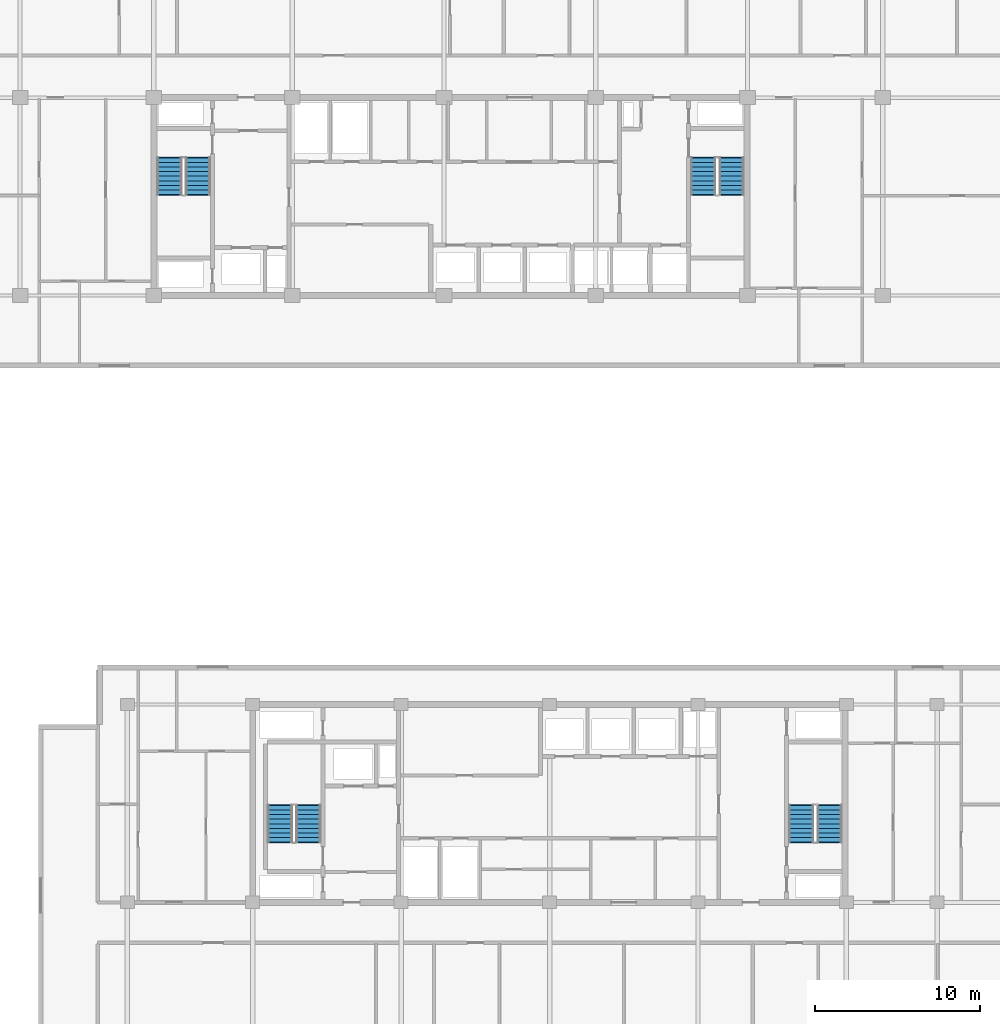
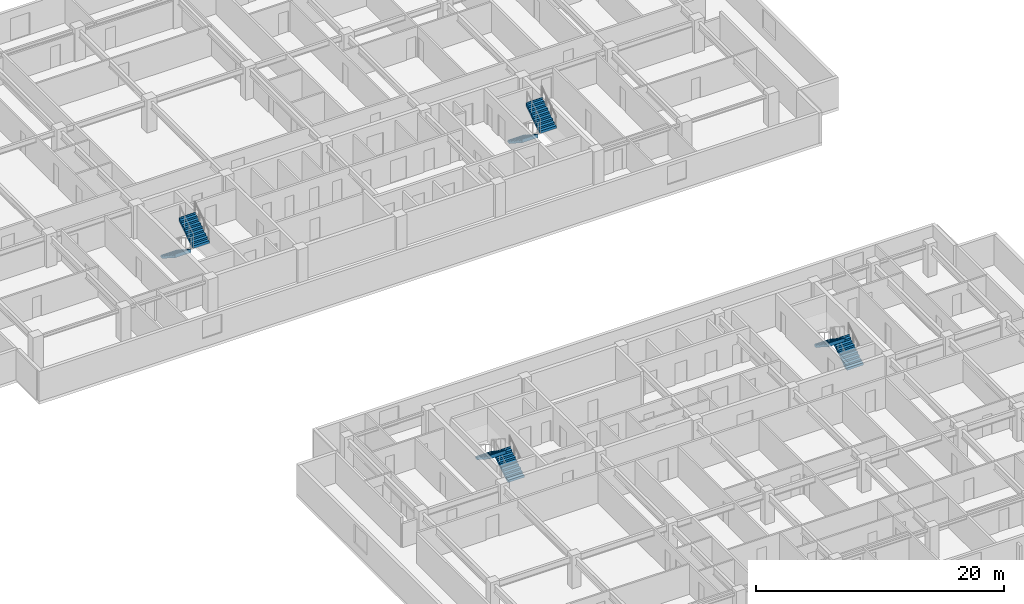
# One storey, part 16 of 21: 8 stair flights, 4 elements without a shape of their own.
"""IFC4 building model written with IfcOpenShell, lengths in metres."""

from ifc_helpers import new_model, si_unit, direction, frame, origin, place, context, subcontext, project, spatial, polyline, outline, extrude, material, type_object, element, aggregate, save


model = new_model("IFC4")

# Units and contexts
model_context = context("Model", 3, precision=1e-05, world=origin(), true_north=direction((0.0, 1.0)))
body_context = subcontext(model_context, "Body", "Model", "MODEL_VIEW")
ifc_project = project(units=[si_unit("LENGTHUNIT", "METRE"), si_unit("AREAUNIT", "SQUARE_METRE"), si_unit("VOLUMEUNIT", "CUBIC_METRE"), si_unit("PLANEANGLEUNIT", "RADIAN"), si_unit("MASSUNIT", "GRAM", prefix="KILO")], contexts=[model_context])

# Site, building, storey
site_placement = place(None, origin())
site = spatial("IfcSite", under=ifc_project, at=site_placement, CompositionType="ELEMENT")
building_placement = place(site_placement, origin())
building = spatial("IfcBuilding", under=site, at=building_placement, Name="Korimba Cascade Residences", CompositionType="ELEMENT")
storey_placement = place(building_placement, frame((0.0, 0.0, 119.800048828125)))
storey = spatial("IfcBuildingStorey", under=building, at=storey_placement, Name="L34", CompositionType="ELEMENT", Elevation=119.800048828125)

# Stair, stair flights
ifc_material = material(Name="Concrete C50/60", Category="concrete")
stair_type_1 = type_object("IfcStairType", Name="STR-W1-18R-1806", PredefinedType="HALF_TURN_STAIR", material=ifc_material)
stair_1_placement = place(storey_placement, origin())
stair_1 = element("IfcStair", 1, at=stair_1_placement, inside=storey, type_object=stair_type_1, Name="L34 Tower 1 West Fire Stair ST-W1", PredefinedType="HALF_TURN_STAIR")
stair_flight_type = type_object("IfcStairFlightType", Name="STF-DL-18R-1806-1520", PredefinedType="STRAIGHT", material=ifc_material)
stair_flight_1_placement = place(storey_placement, frame((77.06005859375, 63.550048828125, 0.0), z_axis=(0.0, 0.0, 1.0), x_axis=(0.0, -1.0, 0.0)))
stair_flight_1 = element("IfcStairFlight", 2, at=stair_flight_1_placement, type_object=stair_flight_type, Name="ST-W1 flight 1", NumberOfRisers=9, NumberOfTreads=8, PredefinedType="STRAIGHT", RiserHeight=0.180555556, TreadLength=0.28, context=body_context, shape_type="SweptSolid", body=[
    extrude(outline(polyline([(-0.0380859375, 0.0), (0.0, 0.1806640625), (0.280029296875, 0.1806640625), (0.280029296875, 0.361083984375), (0.56005859375, 0.361083984375), (0.56005859375, 0.541748046875), (0.840087890625, 0.541748046875), (0.840087890625, 0.72216796875), (1.1201171875, 0.72216796875), (1.1201171875, 0.90283203125), (1.39990234375, 0.90283203125), (1.39990234375, 1.083251953125), (1.679931640625, 1.083251953125), (1.679931640625, 1.263916015625), (1.9599609375, 1.263916015625), (1.9599609375, 1.4443359375), (2.239990234375, 1.4443359375), (2.239990234375, 1.625), (2.278076171875, 1.625), (2.278076171875, 1.26611328125), (0.276611328125, 0.0), (0.276611328125, -0.0380859375), (-0.0380859375, -0.0380859375), (-0.0380859375, 0.0)])), frame((0.0, 0.760009765625, 0.0), z_axis=(0.0, -1.0, 0.0), x_axis=(1.0, 0.0, 0.0)), (0.0, 0.0, 1.0), 1.52001953125),
])
stair_flight_2_placement = place(storey_placement, frame((78.780029296875, 61.31005859375, 1.625), z_axis=(0.0, 0.0, 1.0), x_axis=(0.0, 1.0, 0.0)))
stair_flight_2 = element("IfcStairFlight", 3, at=stair_flight_2_placement, type_object=stair_flight_type, Name="ST-W1 flight 2", NumberOfRisers=9, NumberOfTreads=8, PredefinedType="STRAIGHT", RiserHeight=0.180555556, TreadLength=0.28, context=body_context, shape_type="SweptSolid", body=[
    extrude(outline(polyline([(-0.0380859375, 0.0), (0.0, 0.1806640625), (0.280029296875, 0.1806640625), (0.280029296875, 0.361083984375), (0.56005859375, 0.361083984375), (0.56005859375, 0.541748046875), (0.840087890625, 0.541748046875), (0.840087890625, 0.72216796875), (1.1201171875, 0.72216796875), (1.1201171875, 0.90283203125), (1.39990234375, 0.90283203125), (1.39990234375, 1.083251953125), (1.679931640625, 1.083251953125), (1.679931640625, 1.263916015625), (1.9599609375, 1.263916015625), (1.9599609375, 1.4443359375), (2.239990234375, 1.4443359375), (2.239990234375, 1.625), (2.278076171875, 1.625), (2.278076171875, 1.26611328125), (0.276611328125, 0.0), (0.276611328125, -0.0380859375), (-0.0380859375, -0.0380859375), (-0.0380859375, 0.0)])), frame((0.0, 0.760009765625, 0.0), z_axis=(0.0, -1.0, 0.0), x_axis=(1.0, 0.0, 0.0)), (0.0, 0.0, 1.0), 1.52001953125),
])
aggregate(stair_1, [stair_flight_1, stair_flight_2])

stair_type_2 = type_object("IfcStairType", Name="STR-W2-18R-1806", PredefinedType="HALF_TURN_STAIR", material=ifc_material)
stair_2_placement = place(storey_placement, origin())
stair_2 = element("IfcStair", 4, at=stair_2_placement, inside=storey, type_object=stair_type_2, Name="L34 Tower 1 East Fire Stair ST-W2", PredefinedType="HALF_TURN_STAIR")
stair_flight_3_placement = place(storey_placement, frame((109.419921875, 63.550048828125, 0.0), z_axis=(0.0, 0.0, 1.0), x_axis=(0.0, -1.0, 0.0)))
stair_flight_3 = element("IfcStairFlight", 5, at=stair_flight_3_placement, type_object=stair_flight_type, Name="ST-W2 flight 1", NumberOfRisers=9, NumberOfTreads=8, PredefinedType="STRAIGHT", RiserHeight=0.180555556, TreadLength=0.28, context=body_context, shape_type="SweptSolid", body=[
    extrude(outline(polyline([(-0.0380859375, 0.0), (0.0, 0.1806640625), (0.280029296875, 0.1806640625), (0.280029296875, 0.361083984375), (0.56005859375, 0.361083984375), (0.56005859375, 0.541748046875), (0.840087890625, 0.541748046875), (0.840087890625, 0.72216796875), (1.1201171875, 0.72216796875), (1.1201171875, 0.90283203125), (1.39990234375, 0.90283203125), (1.39990234375, 1.083251953125), (1.679931640625, 1.083251953125), (1.679931640625, 1.263916015625), (1.9599609375, 1.263916015625), (1.9599609375, 1.4443359375), (2.239990234375, 1.4443359375), (2.239990234375, 1.625), (2.278076171875, 1.625), (2.278076171875, 1.26611328125), (0.276611328125, 0.0), (0.276611328125, -0.0380859375), (-0.0380859375, -0.0380859375), (-0.0380859375, 0.0)])), frame((0.0, 0.760009765625, 0.0), z_axis=(0.0, -1.0, 0.0), x_axis=(1.0, 0.0, 0.0)), (0.0, 0.0, 1.0), 1.52001953125),
])
stair_flight_4_placement = place(storey_placement, frame((111.139892578125, 61.31005859375, 1.625), z_axis=(0.0, 0.0, 1.0), x_axis=(0.0, 1.0, 0.0)))
stair_flight_4 = element("IfcStairFlight", 6, at=stair_flight_4_placement, type_object=stair_flight_type, Name="ST-W2 flight 2", NumberOfRisers=9, NumberOfTreads=8, PredefinedType="STRAIGHT", RiserHeight=0.180555556, TreadLength=0.28, context=body_context, shape_type="SweptSolid", body=[
    extrude(outline(polyline([(-0.0380859375, 0.0), (0.0, 0.1806640625), (0.280029296875, 0.1806640625), (0.280029296875, 0.361083984375), (0.56005859375, 0.361083984375), (0.56005859375, 0.541748046875), (0.840087890625, 0.541748046875), (0.840087890625, 0.72216796875), (1.1201171875, 0.72216796875), (1.1201171875, 0.90283203125), (1.39990234375, 0.90283203125), (1.39990234375, 1.083251953125), (1.679931640625, 1.083251953125), (1.679931640625, 1.263916015625), (1.9599609375, 1.263916015625), (1.9599609375, 1.4443359375), (2.239990234375, 1.4443359375), (2.239990234375, 1.625), (2.278076171875, 1.625), (2.278076171875, 1.26611328125), (0.276611328125, 0.0), (0.276611328125, -0.0380859375), (-0.0380859375, -0.0380859375), (-0.0380859375, 0.0)])), frame((0.0, 0.760009765625, 0.0), z_axis=(0.0, -1.0, 0.0), x_axis=(1.0, 0.0, 0.0)), (0.0, 0.0, 1.0), 1.52001953125),
])
aggregate(stair_2, [stair_flight_3, stair_flight_4])

stair_type_3 = type_object("IfcStairType", Name="STR-E1-18R-1806", PredefinedType="HALF_TURN_STAIR", material=ifc_material)
stair_3_placement = place(storey_placement, origin())
stair_3 = element("IfcStair", 7, at=stair_3_placement, inside=storey, type_object=stair_type_3, Name="L34 Tower 2 West Fire Stair ST-E1", PredefinedType="HALF_TURN_STAIR")
stair_flight_5_placement = place(storey_placement, frame((85.47998046875, 22.050048828125, 0.0), z_axis=(0.0, 0.0, 1.0), x_axis=(0.0, 1.0, 0.0)))
stair_flight_5 = element("IfcStairFlight", 8, at=stair_flight_5_placement, type_object=stair_flight_type, Name="ST-E1 flight 1", NumberOfRisers=9, NumberOfTreads=8, PredefinedType="STRAIGHT", RiserHeight=0.180555556, TreadLength=0.28, context=body_context, shape_type="SweptSolid", body=[
    extrude(outline(polyline([(-0.0380859375, 0.0), (0.0, 0.1806640625), (0.280029296875, 0.1806640625), (0.280029296875, 0.361083984375), (0.56005859375, 0.361083984375), (0.56005859375, 0.541748046875), (0.840087890625, 0.541748046875), (0.840087890625, 0.72216796875), (1.1201171875, 0.72216796875), (1.1201171875, 0.90283203125), (1.39990234375, 0.90283203125), (1.39990234375, 1.083251953125), (1.679931640625, 1.083251953125), (1.679931640625, 1.263916015625), (1.9599609375, 1.263916015625), (1.9599609375, 1.4443359375), (2.239990234375, 1.4443359375), (2.239990234375, 1.625), (2.278076171875, 1.625), (2.278076171875, 1.26611328125), (0.276611328125, 0.0), (0.276611328125, -0.0380859375), (-0.0380859375, -0.0380859375), (-0.0380859375, 0.0)])), frame((0.0, 0.760009765625, 0.0), z_axis=(0.0, -1.0, 0.0), x_axis=(1.0, 0.0, 0.0)), (0.0, 0.0, 1.0), 1.52001953125),
])
stair_flight_6_placement = place(storey_placement, frame((83.760009765625, 24.2900390625, 1.625), z_axis=(0.0, 0.0, 1.0), x_axis=(0.0, -1.0, 0.0)))
stair_flight_6 = element("IfcStairFlight", 9, at=stair_flight_6_placement, type_object=stair_flight_type, Name="ST-E1 flight 2", NumberOfRisers=9, NumberOfTreads=8, PredefinedType="STRAIGHT", RiserHeight=0.180555556, TreadLength=0.28, context=body_context, shape_type="SweptSolid", body=[
    extrude(outline(polyline([(-0.0380859375, 0.0), (0.0, 0.1806640625), (0.280029296875, 0.1806640625), (0.280029296875, 0.361083984375), (0.56005859375, 0.361083984375), (0.56005859375, 0.541748046875), (0.840087890625, 0.541748046875), (0.840087890625, 0.72216796875), (1.1201171875, 0.72216796875), (1.1201171875, 0.90283203125), (1.39990234375, 0.90283203125), (1.39990234375, 1.083251953125), (1.679931640625, 1.083251953125), (1.679931640625, 1.263916015625), (1.9599609375, 1.263916015625), (1.9599609375, 1.4443359375), (2.239990234375, 1.4443359375), (2.239990234375, 1.625), (2.278076171875, 1.625), (2.278076171875, 1.26611328125), (0.276611328125, 0.0), (0.276611328125, -0.0380859375), (-0.0380859375, -0.0380859375), (-0.0380859375, 0.0)])), frame((0.0, 0.760009765625, 0.0), z_axis=(0.0, -1.0, 0.0), x_axis=(1.0, 0.0, 0.0)), (0.0, 0.0, 1.0), 1.52001953125),
])
aggregate(stair_3, [stair_flight_5, stair_flight_6])

stair_type_4 = type_object("IfcStairType", Name="STR-E2-18R-1806", PredefinedType="HALF_TURN_STAIR", material=ifc_material)
stair_4_placement = place(storey_placement, origin())
stair_4 = element("IfcStair", 10, at=stair_4_placement, inside=storey, type_object=stair_type_4, Name="L34 Tower 2 East Fire Stair ST-E2", PredefinedType="HALF_TURN_STAIR")
stair_flight_7_placement = place(storey_placement, frame((117.080078125, 22.050048828125, 0.0), z_axis=(0.0, 0.0, 1.0), x_axis=(0.0, 1.0, 0.0)))
stair_flight_7 = element("IfcStairFlight", 11, at=stair_flight_7_placement, type_object=stair_flight_type, Name="ST-E2 flight 1", NumberOfRisers=9, NumberOfTreads=8, PredefinedType="STRAIGHT", RiserHeight=0.180555556, TreadLength=0.28, context=body_context, shape_type="SweptSolid", body=[
    extrude(outline(polyline([(-0.0380859375, 0.0), (0.0, 0.1806640625), (0.280029296875, 0.1806640625), (0.280029296875, 0.361083984375), (0.56005859375, 0.361083984375), (0.56005859375, 0.541748046875), (0.840087890625, 0.541748046875), (0.840087890625, 0.72216796875), (1.1201171875, 0.72216796875), (1.1201171875, 0.90283203125), (1.39990234375, 0.90283203125), (1.39990234375, 1.083251953125), (1.679931640625, 1.083251953125), (1.679931640625, 1.263916015625), (1.9599609375, 1.263916015625), (1.9599609375, 1.4443359375), (2.239990234375, 1.4443359375), (2.239990234375, 1.625), (2.278076171875, 1.625), (2.278076171875, 1.26611328125), (0.276611328125, 0.0), (0.276611328125, -0.0380859375), (-0.0380859375, -0.0380859375), (-0.0380859375, 0.0)])), frame((0.0, 0.760009765625, 0.0), z_axis=(0.0, -1.0, 0.0), x_axis=(1.0, 0.0, 0.0)), (0.0, 0.0, 1.0), 1.52001953125),
])
stair_flight_8_placement = place(storey_placement, frame((115.360107421875, 24.2900390625, 1.625), z_axis=(0.0, 0.0, 1.0), x_axis=(0.0, -1.0, 0.0)))
stair_flight_8 = element("IfcStairFlight", 12, at=stair_flight_8_placement, type_object=stair_flight_type, Name="ST-E2 flight 2", NumberOfRisers=9, NumberOfTreads=8, PredefinedType="STRAIGHT", RiserHeight=0.180555556, TreadLength=0.28, context=body_context, shape_type="SweptSolid", body=[
    extrude(outline(polyline([(-0.0380859375, 0.0), (0.0, 0.1806640625), (0.280029296875, 0.1806640625), (0.280029296875, 0.361083984375), (0.56005859375, 0.361083984375), (0.56005859375, 0.541748046875), (0.840087890625, 0.541748046875), (0.840087890625, 0.72216796875), (1.1201171875, 0.72216796875), (1.1201171875, 0.90283203125), (1.39990234375, 0.90283203125), (1.39990234375, 1.083251953125), (1.679931640625, 1.083251953125), (1.679931640625, 1.263916015625), (1.9599609375, 1.263916015625), (1.9599609375, 1.4443359375), (2.239990234375, 1.4443359375), (2.239990234375, 1.625), (2.278076171875, 1.625), (2.278076171875, 1.26611328125), (0.276611328125, 0.0), (0.276611328125, -0.0380859375), (-0.0380859375, -0.0380859375), (-0.0380859375, 0.0)])), frame((0.0, 0.760009765625, 0.0), z_axis=(0.0, -1.0, 0.0), x_axis=(1.0, 0.0, 0.0)), (0.0, 0.0, 1.0), 1.52001953125),
])
aggregate(stair_4, [stair_flight_7, stair_flight_8])

save(model, "model.ifc")
